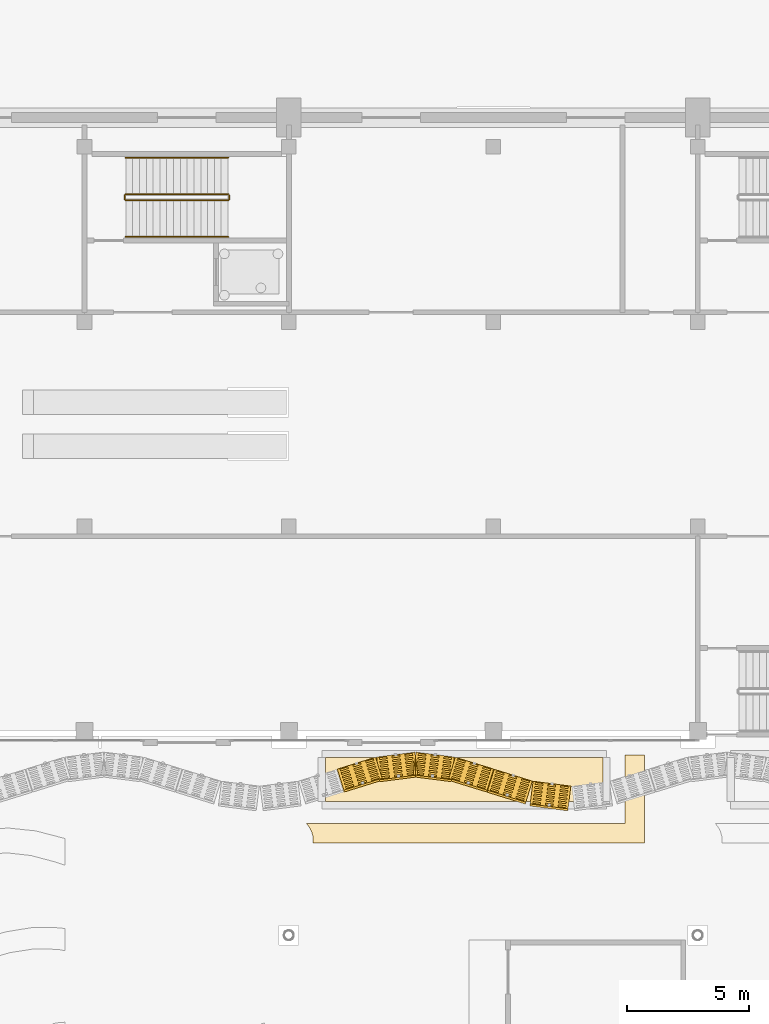
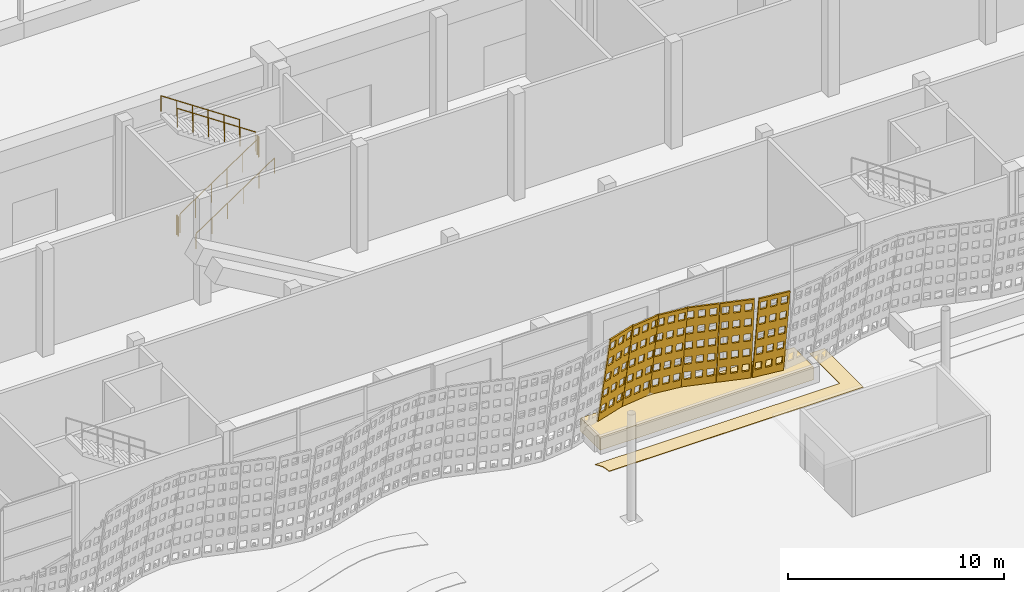
# One storey, part 172 of 210: 8 coverings, 6 railings.
"""IFC4 building model written with IfcOpenShell, lengths in metres."""

from ifc_helpers import new_model, si_unit, direction, frame, origin, origin_2d, place, context, subcontext, project, spatial, polyline, rectangle, circle, outline, extrude, material, layer, layer_set, type_object, element, save


model = new_model("IFC4")

# Units and contexts
model_context = context("Model", 3, precision=1e-05, world=origin(), true_north=direction((0.0, 1.0)))
body_context = subcontext(model_context, "Body", "Model", "MODEL_VIEW")
ifc_project = project(units=[si_unit("LENGTHUNIT", "METRE"), si_unit("AREAUNIT", "SQUARE_METRE"), si_unit("VOLUMEUNIT", "CUBIC_METRE"), si_unit("PLANEANGLEUNIT", "RADIAN"), si_unit("MASSUNIT", "GRAM", prefix="KILO")], contexts=[model_context])

# Site, building, storey
site_placement = place(None, origin())
site = spatial("IfcSite", under=ifc_project, at=site_placement, CompositionType="ELEMENT")
building_placement = place(site_placement, origin())
building = spatial("IfcBuilding", under=site, at=building_placement, Name="Rain Tree Exposition and Congress Centre", CompositionType="ELEMENT")
storey_placement = place(building_placement, origin())
storey = spatial("IfcBuildingStorey", under=building, at=storey_placement, Name="L00", CompositionType="ELEMENT", Elevation=0.0)

# Railings
ifc_material_1 = material(Name="Aluminium and glass balustrade", Category="aluminium")
railing_type_1 = type_object("IfcRailingType", Name="Concourse guard 1100", PredefinedType="GUARDRAIL", material=ifc_material_1)
railing_1_placement = place(storey_placement, frame((52.10009765625, 97.39990234375, 0.1875)))
element("IfcRailing", 1, at=railing_1_placement, inside=storey, type_object=railing_type_1, Name="L00 ST-C8 stair guard 1", PredefinedType="GUARDRAIL", context=body_context, shape_type="SweptSolid", body=[
    extrude(circle(Radius=0.02392578125, at=origin_2d()), frame((0.0, 0.0, 1.076171875), z_axis=(0.830904186295, 0.0, 0.556415522067), x_axis=(0.0, 1.0, 0.0)), (0.0, 0.0, 1.0), 5.0546875),
    extrude(circle(Radius=0.02099609375, at=origin_2d()), origin(), (0.0, 0.0, 1.0), 1.052001953125),
    extrude(circle(Radius=0.02099609375, at=origin_2d()), frame((0.840087890625, 0.0, 0.5625)), (0.0, 0.0, 1.0), 1.052001953125),
    extrude(circle(Radius=0.02099609375, at=origin_2d()), frame((1.679931640625, 0.0, 1.125)), (0.0, 0.0, 1.0), 1.052001953125),
    extrude(circle(Radius=0.02099609375, at=origin_2d()), frame((2.52001953125, 0.0, 1.6875)), (0.0, 0.0, 1.0), 1.052001953125),
    extrude(circle(Radius=0.02099609375, at=origin_2d()), frame((3.35986328125, 0.0, 2.25)), (0.0, 0.0, 1.0), 1.052001953125),
    extrude(circle(Radius=0.02099609375, at=origin_2d()), frame((4.199951171875, 0.0, 2.8125)), (0.0, 0.0, 1.0), 1.052001953125),
])
railing_2_placement = place(storey_placement, frame((56.35009765625, 97.449951171875, 3.0)))
element("IfcRailing", 2, at=railing_2_placement, inside=storey, type_object=railing_type_1, Name="L00 ST-C8 stair guard 2", PredefinedType="GUARDRAIL", context=body_context, shape_type="SweptSolid", body=[
    extrude(circle(Radius=0.02392578125, at=origin_2d()), frame((0.0, 0.0, 1.076171875), z_axis=(0.0, 1.0, 0.0), x_axis=(-1.0, 0.0, 0.0)), (0.0, 0.0, 1.0), 0.150146484375),
    extrude(circle(Radius=0.02099609375, at=origin_2d()), origin(), (0.0, 0.0, 1.0), 1.052001953125),
    extrude(circle(Radius=0.02099609375, at=origin_2d()), frame((0.0, 0.150146484375, 0.0)), (0.0, 0.0, 1.0), 1.052001953125),
])
railing_3_placement = place(storey_placement, frame((56.300048828125, 97.64990234375, 3.1875)))
element("IfcRailing", 3, at=railing_3_placement, inside=storey, type_object=railing_type_1, Name="L00 ST-C8 stair guard 3", PredefinedType="GUARDRAIL", context=body_context, shape_type="SweptSolid", body=[
    extrude(circle(Radius=0.02392578125, at=origin_2d()), frame((0.0, 0.0, 1.076171875), z_axis=(-0.830904186295, 0.0, 0.556415522067), x_axis=(0.0, -1.0, 0.0)), (0.0, 0.0, 1.0), 5.0546875),
    extrude(circle(Radius=0.02099609375, at=origin_2d()), origin(), (0.0, 0.0, 1.0), 1.052001953125),
    extrude(circle(Radius=0.02099609375, at=origin_2d()), frame((-0.840087890625, 0.0, 0.5625)), (0.0, 0.0, 1.0), 1.052001953125),
    extrude(circle(Radius=0.02099609375, at=origin_2d()), frame((-1.679931640625, 0.0, 1.125)), (0.0, 0.0, 1.0), 1.052001953125),
    extrude(circle(Radius=0.02099609375, at=origin_2d()), frame((-2.52001953125, 0.0, 1.6875)), (0.0, 0.0, 1.0), 1.052001953125),
    extrude(circle(Radius=0.02099609375, at=origin_2d()), frame((-3.35986328125, 0.0, 2.25)), (0.0, 0.0, 1.0), 1.052001953125),
    extrude(circle(Radius=0.02099609375, at=origin_2d()), frame((-4.199951171875, 0.0, 2.8125)), (0.0, 0.0, 1.0), 1.052001953125),
])
railing_4_placement = place(storey_placement, frame((52.050048828125, 97.449951171875, 0.0)))
element("IfcRailing", 4, at=railing_4_placement, inside=storey, type_object=railing_type_1, Name="L00 ST-C8 stair guard 4", PredefinedType="GUARDRAIL", context=body_context, shape_type="SweptSolid", body=[
    extrude(circle(Radius=0.02392578125, at=origin_2d()), frame((0.0, 0.0, 1.076171875), z_axis=(0.0, 1.0, 0.0), x_axis=(-1.0, 0.0, 0.0)), (0.0, 0.0, 1.0), 0.150146484375),
    extrude(circle(Radius=0.02099609375, at=origin_2d()), origin(), (0.0, 0.0, 1.0), 1.052001953125),
    extrude(circle(Radius=0.02099609375, at=origin_2d()), frame((0.0, 0.150146484375, 0.0)), (0.0, 0.0, 1.0), 1.052001953125),
])
ifc_material_2 = material(Name="Aluminium handrail", Category="aluminium")
railing_type_2 = type_object("IfcRailingType", Name="Concourse handrail 900", PredefinedType="HANDRAIL", material=ifc_material_2)
railing_5_placement = place(storey_placement, frame((52.10009765625, 95.89990234375, 0.1875)))
element("IfcRailing", 5, at=railing_5_placement, inside=storey, type_object=railing_type_2, Name="L00 ST-C8 stair handrail 1", PredefinedType="HANDRAIL", context=body_context, shape_type="SweptSolid", body=[
    extrude(circle(Radius=0.02392578125, at=origin_2d()), frame((0.0, 0.0, 0.8759765625), z_axis=(0.830904186295, 0.0, 0.556415522067), x_axis=(0.0, 1.0, 0.0)), (0.0, 0.0, 1.0), 5.0546875),
    extrude(circle(Radius=0.02099609375, at=origin_2d()), origin(), (0.0, 0.0, 1.0), 0.851806640625),
    extrude(circle(Radius=0.02099609375, at=origin_2d()), frame((0.840087890625, 0.0, 0.5625)), (0.0, 0.0, 1.0), 0.851806640625),
    extrude(circle(Radius=0.02099609375, at=origin_2d()), frame((1.679931640625, 0.0, 1.125)), (0.0, 0.0, 1.0), 0.851806640625),
    extrude(circle(Radius=0.02099609375, at=origin_2d()), frame((2.52001953125, 0.0, 1.6875)), (0.0, 0.0, 1.0), 0.851806640625),
    extrude(circle(Radius=0.02099609375, at=origin_2d()), frame((3.35986328125, 0.0, 2.25)), (0.0, 0.0, 1.0), 0.851806640625),
    extrude(circle(Radius=0.02099609375, at=origin_2d()), frame((4.199951171875, 0.0, 2.8125)), (0.0, 0.0, 1.0), 0.851806640625),
])
railing_6_placement = place(storey_placement, frame((56.300048828125, 99.14990234375, 3.1875)))
element("IfcRailing", 6, at=railing_6_placement, inside=storey, type_object=railing_type_2, Name="L00 ST-C8 stair handrail 2", PredefinedType="HANDRAIL", context=body_context, shape_type="SweptSolid", body=[
    extrude(circle(Radius=0.02392578125, at=origin_2d()), frame((0.0, 0.0, 0.8759765625), z_axis=(-0.830904186295, 0.0, 0.556415522067), x_axis=(0.0, -1.0, 0.0)), (0.0, 0.0, 1.0), 5.0546875),
    extrude(circle(Radius=0.02099609375, at=origin_2d()), origin(), (0.0, 0.0, 1.0), 0.851806640625),
    extrude(circle(Radius=0.02099609375, at=origin_2d()), frame((-0.840087890625, 0.0, 0.5625)), (0.0, 0.0, 1.0), 0.851806640625),
    extrude(circle(Radius=0.02099609375, at=origin_2d()), frame((-1.679931640625, 0.0, 1.125)), (0.0, 0.0, 1.0), 0.851806640625),
    extrude(circle(Radius=0.02099609375, at=origin_2d()), frame((-2.52001953125, 0.0, 1.6875)), (0.0, 0.0, 1.0), 0.851806640625),
    extrude(circle(Radius=0.02099609375, at=origin_2d()), frame((-3.35986328125, 0.0, 2.25)), (0.0, 0.0, 1.0), 0.851806640625),
    extrude(circle(Radius=0.02099609375, at=origin_2d()), frame((-4.199951171875, 0.0, 2.8125)), (0.0, 0.0, 1.0), 0.851806640625),
])

# Coverings
ifc_material_3 = material(Name="Granite paving", Category="masonry")
ifc_layer_1 = layer(ifc_material_3, 0.030029296875)
ifc_layer_set_1 = layer_set([ifc_layer_1], Name="Granite paving")
covering_type_1 = type_object("IfcCoveringType", Name="Granite paving inlay 30", PredefinedType="FLOORING", material=ifc_layer_set_1)
covering_1_placement = place(storey_placement, origin())
element("IfcCovering", 7, at=covering_1_placement, inside=storey, type_object=covering_type_1, Name="Granite paving inlay 24", PredefinedType="FLOORING", context=body_context, shape_type="SweptSolid", body=[
    extrude(outline(polyline([(72.60009765625, 71.800048828125), (59.513427734375, 71.800048828125), (59.64208984375, 71.638916015625), (59.73095703125, 71.46435546875), (59.7841796875, 71.275634765625), (59.800048828125, 71.0), (73.39990234375, 71.0), (73.39990234375, 74.60009765625), (72.60009765625, 74.60009765625), (72.60009765625, 71.800048828125)])), origin(), (0.0, 0.0, 1.0), 0.030029296875),
])
ifc_material_4 = material(Name="Planting substrate", Category="soil")
ifc_layer_2 = layer(ifc_material_4, 0.75)
ifc_layer_set_2 = layer_set([ifc_layer_2], Name="Planting substrate")
covering_type_2 = type_object("IfcCoveringType", Name="Planting bed substrate 750", PredefinedType="FLOORING", material=ifc_layer_set_2)
covering_2_placement = place(storey_placement, frame((66.0, 73.60009765625, 0.0), z_axis=(0.0, 0.0, 1.0), x_axis=(1.0, 0.0, 0.0)))
element("IfcCovering", 8, at=covering_2_placement, inside=storey, type_object=covering_type_2, Name="Planting bed", PredefinedType="FLOORING", context=body_context, shape_type="SweptSolid", body=[
    extrude(rectangle(XDim=11.39990234375, YDim=1.800048828125, at=origin_2d()), origin(), (0.0, 0.0, 1.0), 0.75),
])
ifc_material_5 = material(Name="Perforated terracotta", Category="masonry")
ifc_layer_3 = layer(ifc_material_5, 0.080078125)
ifc_layer_set_3 = layer_set([ifc_layer_3], Name="Perforated terracotta")
covering_type_3 = type_object("IfcCoveringType", Name="Terracotta screen 80", PredefinedType="CLADDING", material=ifc_layer_set_3)
covering_3_placement = place(storey_placement, frame((60.800048828125, 73.949951171875, 0.0), z_axis=(-0.293072736571, 0.943327870838, 0.155694891303), x_axis=(-0.954973588716, -0.296690823679, 0.0)))
element("IfcCovering", 9, at=covering_3_placement, inside=storey, type_object=covering_type_3, Name="concourse/screen/L00/039", PredefinedType="CLADDING", context=body_context, shape_type="SweptSolid", body=[
    extrude(outline(polyline([(-0.014892578125, 0.0), (-1.659912109375, 0.0), (-1.659912109375, 5.80859375), (-0.014892578125, 5.80859375), (-0.014892578125, 0.0)]), holes=[polyline([(-0.119140625, 0.249755859375), (-0.119140625, 0.71826171875), (-0.458984375, 0.71826171875), (-0.458984375, 0.249755859375), (-0.119140625, 0.249755859375)]), polyline([(-0.119140625, 1.218017578125), (-0.119140625, 1.686279296875), (-0.458984375, 1.686279296875), (-0.458984375, 1.218017578125), (-0.119140625, 1.218017578125)]), polyline([(-0.119140625, 2.18603515625), (-0.119140625, 2.654541015625), (-0.458984375, 2.654541015625), (-0.458984375, 2.18603515625), (-0.119140625, 2.18603515625)]), polyline([(-0.119140625, 3.154052734375), (-0.119140625, 3.62255859375), (-0.458984375, 3.62255859375), (-0.458984375, 3.154052734375), (-0.119140625, 3.154052734375)]), polyline([(-0.119140625, 4.122314453125), (-0.119140625, 4.5908203125), (-0.458984375, 4.5908203125), (-0.458984375, 4.122314453125), (-0.119140625, 4.122314453125)]), polyline([(-0.119140625, 5.09033203125), (-0.119140625, 5.558837890625), (-0.458984375, 5.558837890625), (-0.458984375, 5.09033203125), (-0.119140625, 5.09033203125)]), polyline([(-0.66748046875, 0.249755859375), (-0.66748046875, 0.71826171875), (-1.00732421875, 0.71826171875), (-1.00732421875, 0.249755859375), (-0.66748046875, 0.249755859375)]), polyline([(-0.66748046875, 1.218017578125), (-0.66748046875, 1.686279296875), (-1.00732421875, 1.686279296875), (-1.00732421875, 1.218017578125), (-0.66748046875, 1.218017578125)]), polyline([(-0.66748046875, 2.18603515625), (-0.66748046875, 2.654541015625), (-1.00732421875, 2.654541015625), (-1.00732421875, 2.18603515625), (-0.66748046875, 2.18603515625)]), polyline([(-0.66748046875, 3.154052734375), (-0.66748046875, 3.62255859375), (-1.00732421875, 3.62255859375), (-1.00732421875, 3.154052734375), (-0.66748046875, 3.154052734375)]), polyline([(-0.66748046875, 4.122314453125), (-0.66748046875, 4.5908203125), (-1.00732421875, 4.5908203125), (-1.00732421875, 4.122314453125), (-0.66748046875, 4.122314453125)]), polyline([(-0.66748046875, 5.09033203125), (-0.66748046875, 5.558837890625), (-1.00732421875, 5.558837890625), (-1.00732421875, 5.09033203125), (-0.66748046875, 5.09033203125)]), polyline([(-1.2158203125, 0.249755859375), (-1.2158203125, 0.71826171875), (-1.5556640625, 0.71826171875), (-1.5556640625, 0.249755859375), (-1.2158203125, 0.249755859375)]), polyline([(-1.2158203125, 1.218017578125), (-1.2158203125, 1.686279296875), (-1.5556640625, 1.686279296875), (-1.5556640625, 1.218017578125), (-1.2158203125, 1.218017578125)]), polyline([(-1.2158203125, 2.18603515625), (-1.2158203125, 2.654541015625), (-1.5556640625, 2.654541015625), (-1.5556640625, 2.18603515625), (-1.2158203125, 2.18603515625)]), polyline([(-1.2158203125, 3.154052734375), (-1.2158203125, 3.62255859375), (-1.5556640625, 3.62255859375), (-1.5556640625, 3.154052734375), (-1.2158203125, 3.154052734375)]), polyline([(-1.2158203125, 4.122314453125), (-1.2158203125, 4.5908203125), (-1.5556640625, 4.5908203125), (-1.5556640625, 4.122314453125), (-1.2158203125, 4.122314453125)]), polyline([(-1.2158203125, 5.09033203125), (-1.2158203125, 5.558837890625), (-1.5556640625, 5.558837890625), (-1.5556640625, 5.09033203125), (-1.2158203125, 5.09033203125)])]), origin(), (0.0, 0.0, 1.0), 0.080078125),
])
covering_4_placement = place(storey_placement, frame((62.39990234375, 74.445068359375, 0.0), z_axis=(-0.125405134464, 0.978771781185, 0.162109076259), x_axis=(-0.991891686382, -0.127086122318, 0.0)))
element("IfcCovering", 10, at=covering_4_placement, inside=storey, type_object=covering_type_3, Name="concourse/screen/L00/040", PredefinedType="CLADDING", context=body_context, shape_type="SweptSolid", body=[
    extrude(outline(polyline([(-0.014892578125, 0.0), (-1.59814453125, 0.0), (-1.59814453125, 5.813720703125), (-0.014892578125, 5.813720703125), (-0.014892578125, 0.0)]), holes=[polyline([(-0.115234375, 0.25), (-0.115234375, 0.718994140625), (-0.4423828125, 0.718994140625), (-0.4423828125, 0.25), (-0.115234375, 0.25)]), polyline([(-0.115234375, 1.218994140625), (-0.115234375, 1.687744140625), (-0.4423828125, 1.687744140625), (-0.4423828125, 1.218994140625), (-0.115234375, 1.218994140625)]), polyline([(-0.115234375, 2.18798828125), (-0.115234375, 2.65673828125), (-0.4423828125, 2.65673828125), (-0.4423828125, 2.18798828125), (-0.115234375, 2.18798828125)]), polyline([(-0.115234375, 3.156982421875), (-0.115234375, 3.625732421875), (-0.4423828125, 3.625732421875), (-0.4423828125, 3.156982421875), (-0.115234375, 3.156982421875)]), polyline([(-0.115234375, 4.125732421875), (-0.115234375, 4.594482421875), (-0.4423828125, 4.594482421875), (-0.4423828125, 4.125732421875), (-0.115234375, 4.125732421875)]), polyline([(-0.115234375, 5.0947265625), (-0.115234375, 5.563720703125), (-0.4423828125, 5.563720703125), (-0.4423828125, 5.0947265625), (-0.115234375, 5.0947265625)]), polyline([(-0.64306640625, 0.25), (-0.64306640625, 0.718994140625), (-0.97021484375, 0.718994140625), (-0.97021484375, 0.25), (-0.64306640625, 0.25)]), polyline([(-0.64306640625, 1.218994140625), (-0.64306640625, 1.687744140625), (-0.97021484375, 1.687744140625), (-0.97021484375, 1.218994140625), (-0.64306640625, 1.218994140625)]), polyline([(-0.64306640625, 2.18798828125), (-0.64306640625, 2.65673828125), (-0.97021484375, 2.65673828125), (-0.97021484375, 2.18798828125), (-0.64306640625, 2.18798828125)]), polyline([(-0.64306640625, 3.156982421875), (-0.64306640625, 3.625732421875), (-0.97021484375, 3.625732421875), (-0.97021484375, 3.156982421875), (-0.64306640625, 3.156982421875)]), polyline([(-0.64306640625, 4.125732421875), (-0.64306640625, 4.594482421875), (-0.97021484375, 4.594482421875), (-0.97021484375, 4.125732421875), (-0.64306640625, 4.125732421875)]), polyline([(-0.64306640625, 5.0947265625), (-0.64306640625, 5.563720703125), (-0.97021484375, 5.563720703125), (-0.97021484375, 5.0947265625), (-0.64306640625, 5.0947265625)]), polyline([(-1.170654296875, 0.25), (-1.170654296875, 0.718994140625), (-1.497802734375, 0.718994140625), (-1.497802734375, 0.25), (-1.170654296875, 0.25)]), polyline([(-1.170654296875, 1.218994140625), (-1.170654296875, 1.687744140625), (-1.497802734375, 1.687744140625), (-1.497802734375, 1.218994140625), (-1.170654296875, 1.218994140625)]), polyline([(-1.170654296875, 2.18798828125), (-1.170654296875, 2.65673828125), (-1.497802734375, 2.65673828125), (-1.497802734375, 2.18798828125), (-1.170654296875, 2.18798828125)]), polyline([(-1.170654296875, 3.156982421875), (-1.170654296875, 3.625732421875), (-1.497802734375, 3.625732421875), (-1.497802734375, 3.156982421875), (-1.170654296875, 3.156982421875)]), polyline([(-1.170654296875, 4.125732421875), (-1.170654296875, 4.594482421875), (-1.497802734375, 4.594482421875), (-1.497802734375, 4.125732421875), (-1.170654296875, 4.125732421875)]), polyline([(-1.170654296875, 5.0947265625), (-1.170654296875, 5.563720703125), (-1.497802734375, 5.563720703125), (-1.497802734375, 5.0947265625), (-1.170654296875, 5.0947265625)])]), origin(), (0.0, 0.0, 1.0), 0.079833984375),
])
covering_5_placement = place(storey_placement, frame((64.0, 74.64990234375, 0.0), z_axis=(0.125030801275, 0.978899688033, 0.161625182136), x_axis=(-0.991941518713, 0.126696580272, 0.0)))
element("IfcCovering", 11, at=covering_5_placement, inside=storey, type_object=covering_type_3, Name="concourse/screen/L00/041", PredefinedType="CLADDING", context=body_context, shape_type="SweptSolid", body=[
    extrude(outline(polyline([(-0.014892578125, 0.0), (-1.59814453125, 0.0), (-1.59814453125, 5.813720703125), (-0.014892578125, 5.813720703125), (-0.014892578125, 0.0)]), holes=[polyline([(-0.115234375, 0.25), (-0.115234375, 0.718994140625), (-0.4423828125, 0.718994140625), (-0.4423828125, 0.25), (-0.115234375, 0.25)]), polyline([(-0.115234375, 1.218994140625), (-0.115234375, 1.687744140625), (-0.4423828125, 1.687744140625), (-0.4423828125, 1.218994140625), (-0.115234375, 1.218994140625)]), polyline([(-0.115234375, 2.18798828125), (-0.115234375, 2.65673828125), (-0.4423828125, 2.65673828125), (-0.4423828125, 2.18798828125), (-0.115234375, 2.18798828125)]), polyline([(-0.115234375, 3.156982421875), (-0.115234375, 3.625732421875), (-0.4423828125, 3.625732421875), (-0.4423828125, 3.156982421875), (-0.115234375, 3.156982421875)]), polyline([(-0.115234375, 4.125732421875), (-0.115234375, 4.594482421875), (-0.4423828125, 4.594482421875), (-0.4423828125, 4.125732421875), (-0.115234375, 4.125732421875)]), polyline([(-0.115234375, 5.0947265625), (-0.115234375, 5.563720703125), (-0.4423828125, 5.563720703125), (-0.4423828125, 5.0947265625), (-0.115234375, 5.0947265625)]), polyline([(-0.64306640625, 0.25), (-0.64306640625, 0.718994140625), (-0.97021484375, 0.718994140625), (-0.97021484375, 0.25), (-0.64306640625, 0.25)]), polyline([(-0.64306640625, 1.218994140625), (-0.64306640625, 1.687744140625), (-0.97021484375, 1.687744140625), (-0.97021484375, 1.218994140625), (-0.64306640625, 1.218994140625)]), polyline([(-0.64306640625, 2.18798828125), (-0.64306640625, 2.65673828125), (-0.97021484375, 2.65673828125), (-0.97021484375, 2.18798828125), (-0.64306640625, 2.18798828125)]), polyline([(-0.64306640625, 3.156982421875), (-0.64306640625, 3.625732421875), (-0.97021484375, 3.625732421875), (-0.97021484375, 3.156982421875), (-0.64306640625, 3.156982421875)]), polyline([(-0.64306640625, 4.125732421875), (-0.64306640625, 4.594482421875), (-0.97021484375, 4.594482421875), (-0.97021484375, 4.125732421875), (-0.64306640625, 4.125732421875)]), polyline([(-0.64306640625, 5.0947265625), (-0.64306640625, 5.563720703125), (-0.97021484375, 5.563720703125), (-0.97021484375, 5.0947265625), (-0.64306640625, 5.0947265625)]), polyline([(-1.170654296875, 0.25), (-1.170654296875, 0.718994140625), (-1.497802734375, 0.718994140625), (-1.497802734375, 0.25), (-1.170654296875, 0.25)]), polyline([(-1.170654296875, 1.218994140625), (-1.170654296875, 1.687744140625), (-1.497802734375, 1.687744140625), (-1.497802734375, 1.218994140625), (-1.170654296875, 1.218994140625)]), polyline([(-1.170654296875, 2.18798828125), (-1.170654296875, 2.65673828125), (-1.497802734375, 2.65673828125), (-1.497802734375, 2.18798828125), (-1.170654296875, 2.18798828125)]), polyline([(-1.170654296875, 3.156982421875), (-1.170654296875, 3.625732421875), (-1.497802734375, 3.625732421875), (-1.497802734375, 3.156982421875), (-1.170654296875, 3.156982421875)]), polyline([(-1.170654296875, 4.125732421875), (-1.170654296875, 4.594482421875), (-1.497802734375, 4.594482421875), (-1.497802734375, 4.125732421875), (-1.170654296875, 4.125732421875)]), polyline([(-1.170654296875, 5.0947265625), (-1.170654296875, 5.563720703125), (-1.497802734375, 5.563720703125), (-1.497802734375, 5.0947265625), (-1.170654296875, 5.0947265625)])]), origin(), (0.0, 0.0, 1.0), 0.080078125),
])
covering_6_placement = place(storey_placement, frame((65.60009765625, 74.445068359375, 0.0), z_axis=(0.290278371326, 0.94416859726, 0.155833651975), x_axis=(-0.955845867297, 0.293868470528, 0.0)))
element("IfcCovering", 12, at=covering_6_placement, inside=storey, type_object=covering_type_3, Name="concourse/screen/L00/042", PredefinedType="CLADDING", context=body_context, shape_type="SweptSolid", body=[
    extrude(outline(polyline([(-0.014892578125, 0.0), (-1.659912109375, 0.0), (-1.659912109375, 5.80859375), (-0.014892578125, 5.80859375), (-0.014892578125, 0.0)]), holes=[polyline([(-0.119140625, 0.249755859375), (-0.119140625, 0.71826171875), (-0.458984375, 0.71826171875), (-0.458984375, 0.249755859375), (-0.119140625, 0.249755859375)]), polyline([(-0.119140625, 1.218017578125), (-0.119140625, 1.686279296875), (-0.458984375, 1.686279296875), (-0.458984375, 1.218017578125), (-0.119140625, 1.218017578125)]), polyline([(-0.119140625, 2.18603515625), (-0.119140625, 2.654541015625), (-0.458984375, 2.654541015625), (-0.458984375, 2.18603515625), (-0.119140625, 2.18603515625)]), polyline([(-0.119140625, 3.154052734375), (-0.119140625, 3.62255859375), (-0.458984375, 3.62255859375), (-0.458984375, 3.154052734375), (-0.119140625, 3.154052734375)]), polyline([(-0.119140625, 4.122314453125), (-0.119140625, 4.5908203125), (-0.458984375, 4.5908203125), (-0.458984375, 4.122314453125), (-0.119140625, 4.122314453125)]), polyline([(-0.119140625, 5.09033203125), (-0.119140625, 5.558837890625), (-0.458984375, 5.558837890625), (-0.458984375, 5.09033203125), (-0.119140625, 5.09033203125)]), polyline([(-0.66748046875, 0.249755859375), (-0.66748046875, 0.71826171875), (-1.00732421875, 0.71826171875), (-1.00732421875, 0.249755859375), (-0.66748046875, 0.249755859375)]), polyline([(-0.66748046875, 1.218017578125), (-0.66748046875, 1.686279296875), (-1.00732421875, 1.686279296875), (-1.00732421875, 1.218017578125), (-0.66748046875, 1.218017578125)]), polyline([(-0.66748046875, 2.18603515625), (-0.66748046875, 2.654541015625), (-1.00732421875, 2.654541015625), (-1.00732421875, 2.18603515625), (-0.66748046875, 2.18603515625)]), polyline([(-0.66748046875, 3.154052734375), (-0.66748046875, 3.62255859375), (-1.00732421875, 3.62255859375), (-1.00732421875, 3.154052734375), (-0.66748046875, 3.154052734375)]), polyline([(-0.66748046875, 4.122314453125), (-0.66748046875, 4.5908203125), (-1.00732421875, 4.5908203125), (-1.00732421875, 4.122314453125), (-0.66748046875, 4.122314453125)]), polyline([(-0.66748046875, 5.09033203125), (-0.66748046875, 5.558837890625), (-1.00732421875, 5.558837890625), (-1.00732421875, 5.09033203125), (-0.66748046875, 5.09033203125)]), polyline([(-1.2158203125, 0.249755859375), (-1.2158203125, 0.71826171875), (-1.5556640625, 0.71826171875), (-1.5556640625, 0.249755859375), (-1.2158203125, 0.249755859375)]), polyline([(-1.2158203125, 1.218017578125), (-1.2158203125, 1.686279296875), (-1.5556640625, 1.686279296875), (-1.5556640625, 1.218017578125), (-1.2158203125, 1.218017578125)]), polyline([(-1.2158203125, 2.18603515625), (-1.2158203125, 2.654541015625), (-1.5556640625, 2.654541015625), (-1.5556640625, 2.18603515625), (-1.2158203125, 2.18603515625)]), polyline([(-1.2158203125, 3.154052734375), (-1.2158203125, 3.62255859375), (-1.5556640625, 3.62255859375), (-1.5556640625, 3.154052734375), (-1.2158203125, 3.154052734375)]), polyline([(-1.2158203125, 4.122314453125), (-1.2158203125, 4.5908203125), (-1.5556640625, 4.5908203125), (-1.5556640625, 4.122314453125), (-1.2158203125, 4.122314453125)]), polyline([(-1.2158203125, 5.09033203125), (-1.2158203125, 5.558837890625), (-1.5556640625, 5.558837890625), (-1.5556640625, 5.09033203125), (-1.2158203125, 5.09033203125)])]), origin(), (0.0, 0.0, 1.0), 0.079833984375),
])
covering_7_placement = place(storey_placement, frame((67.199951171875, 73.949951171875, 0.0), z_axis=(0.293072736571, 0.943327870838, 0.155694891303), x_axis=(-0.954973588716, 0.296690823679, 0.0)))
element("IfcCovering", 13, at=covering_7_placement, inside=storey, type_object=covering_type_3, Name="concourse/screen/L00/043", PredefinedType="CLADDING", context=body_context, shape_type="SweptSolid", body=[
    extrude(outline(polyline([(-0.014892578125, 0.0), (-1.65283203125, 0.0), (-1.65283203125, 5.80859375), (-0.014892578125, 5.80859375), (-0.014892578125, 0.0)]), holes=[polyline([(-0.11865234375, 0.249755859375), (-0.11865234375, 0.71826171875), (-0.457275390625, 0.71826171875), (-0.457275390625, 0.249755859375), (-0.11865234375, 0.249755859375)]), polyline([(-0.11865234375, 1.218017578125), (-0.11865234375, 1.686279296875), (-0.457275390625, 1.686279296875), (-0.457275390625, 1.218017578125), (-0.11865234375, 1.218017578125)]), polyline([(-0.11865234375, 2.18603515625), (-0.11865234375, 2.654541015625), (-0.457275390625, 2.654541015625), (-0.457275390625, 2.18603515625), (-0.11865234375, 2.18603515625)]), polyline([(-0.11865234375, 3.154052734375), (-0.11865234375, 3.62255859375), (-0.457275390625, 3.62255859375), (-0.457275390625, 3.154052734375), (-0.11865234375, 3.154052734375)]), polyline([(-0.11865234375, 4.122314453125), (-0.11865234375, 4.5908203125), (-0.457275390625, 4.5908203125), (-0.457275390625, 4.122314453125), (-0.11865234375, 4.122314453125)]), polyline([(-0.11865234375, 5.09033203125), (-0.11865234375, 5.558837890625), (-0.457275390625, 5.558837890625), (-0.457275390625, 5.09033203125), (-0.11865234375, 5.09033203125)]), polyline([(-0.664794921875, 0.249755859375), (-0.664794921875, 0.71826171875), (-1.003173828125, 0.71826171875), (-1.003173828125, 0.249755859375), (-0.664794921875, 0.249755859375)]), polyline([(-0.664794921875, 1.218017578125), (-0.664794921875, 1.686279296875), (-1.003173828125, 1.686279296875), (-1.003173828125, 1.218017578125), (-0.664794921875, 1.218017578125)]), polyline([(-0.664794921875, 2.18603515625), (-0.664794921875, 2.654541015625), (-1.003173828125, 2.654541015625), (-1.003173828125, 2.18603515625), (-0.664794921875, 2.18603515625)]), polyline([(-0.664794921875, 3.154052734375), (-0.664794921875, 3.62255859375), (-1.003173828125, 3.62255859375), (-1.003173828125, 3.154052734375), (-0.664794921875, 3.154052734375)]), polyline([(-0.664794921875, 4.122314453125), (-0.664794921875, 4.5908203125), (-1.003173828125, 4.5908203125), (-1.003173828125, 4.122314453125), (-0.664794921875, 4.122314453125)]), polyline([(-0.664794921875, 5.09033203125), (-0.664794921875, 5.558837890625), (-1.003173828125, 5.558837890625), (-1.003173828125, 5.09033203125), (-0.664794921875, 5.09033203125)]), polyline([(-1.210693359375, 0.249755859375), (-1.210693359375, 0.71826171875), (-1.54931640625, 0.71826171875), (-1.54931640625, 0.249755859375), (-1.210693359375, 0.249755859375)]), polyline([(-1.210693359375, 1.218017578125), (-1.210693359375, 1.686279296875), (-1.54931640625, 1.686279296875), (-1.54931640625, 1.218017578125), (-1.210693359375, 1.218017578125)]), polyline([(-1.210693359375, 2.18603515625), (-1.210693359375, 2.654541015625), (-1.54931640625, 2.654541015625), (-1.54931640625, 2.18603515625), (-1.210693359375, 2.18603515625)]), polyline([(-1.210693359375, 3.154052734375), (-1.210693359375, 3.62255859375), (-1.54931640625, 3.62255859375), (-1.54931640625, 3.154052734375), (-1.210693359375, 3.154052734375)]), polyline([(-1.210693359375, 4.122314453125), (-1.210693359375, 4.5908203125), (-1.54931640625, 4.5908203125), (-1.54931640625, 4.122314453125), (-1.210693359375, 4.122314453125)]), polyline([(-1.210693359375, 5.09033203125), (-1.210693359375, 5.558837890625), (-1.54931640625, 5.558837890625), (-1.54931640625, 5.09033203125), (-1.210693359375, 5.09033203125)])]), origin(), (0.0, 0.0, 1.0), 0.080078125),
])
covering_8_placement = place(storey_placement, frame((68.800048828125, 73.455078125, 0.0), z_axis=(0.125405134464, 0.978771781185, 0.162109076259), x_axis=(-0.991891686382, 0.127086122318, 0.0)))
element("IfcCovering", 14, at=covering_8_placement, inside=storey, type_object=covering_type_3, Name="concourse/screen/L00/044", PredefinedType="CLADDING", context=body_context, shape_type="SweptSolid", body=[
    extrude(outline(polyline([(-0.02197265625, 0.0), (-1.587890625, 0.0), (-1.587890625, 5.813720703125), (-0.02197265625, 5.813720703125), (-0.02197265625, 0.0)]), holes=[polyline([(-0.12109375, 0.25), (-0.12109375, 0.718994140625), (-0.444580078125, 0.718994140625), (-0.444580078125, 0.25), (-0.12109375, 0.25)]), polyline([(-0.12109375, 1.218994140625), (-0.12109375, 1.687744140625), (-0.444580078125, 1.687744140625), (-0.444580078125, 1.218994140625), (-0.12109375, 1.218994140625)]), polyline([(-0.12109375, 2.18798828125), (-0.12109375, 2.65673828125), (-0.444580078125, 2.65673828125), (-0.444580078125, 2.18798828125), (-0.12109375, 2.18798828125)]), polyline([(-0.12109375, 3.156982421875), (-0.12109375, 3.625732421875), (-0.444580078125, 3.625732421875), (-0.444580078125, 3.156982421875), (-0.12109375, 3.156982421875)]), polyline([(-0.12109375, 4.125732421875), (-0.12109375, 4.594482421875), (-0.444580078125, 4.594482421875), (-0.444580078125, 4.125732421875), (-0.12109375, 4.125732421875)]), polyline([(-0.12109375, 5.0947265625), (-0.12109375, 5.563720703125), (-0.444580078125, 5.563720703125), (-0.444580078125, 5.0947265625), (-0.12109375, 5.0947265625)]), polyline([(-0.64306640625, 0.25), (-0.64306640625, 0.718994140625), (-0.966796875, 0.718994140625), (-0.966796875, 0.25), (-0.64306640625, 0.25)]), polyline([(-0.64306640625, 1.218994140625), (-0.64306640625, 1.687744140625), (-0.966796875, 1.687744140625), (-0.966796875, 1.218994140625), (-0.64306640625, 1.218994140625)]), polyline([(-0.64306640625, 2.18798828125), (-0.64306640625, 2.65673828125), (-0.966796875, 2.65673828125), (-0.966796875, 2.18798828125), (-0.64306640625, 2.18798828125)]), polyline([(-0.64306640625, 3.156982421875), (-0.64306640625, 3.625732421875), (-0.966796875, 3.625732421875), (-0.966796875, 3.156982421875), (-0.64306640625, 3.156982421875)]), polyline([(-0.64306640625, 4.125732421875), (-0.64306640625, 4.594482421875), (-0.966796875, 4.594482421875), (-0.966796875, 4.125732421875), (-0.64306640625, 4.125732421875)]), polyline([(-0.64306640625, 5.0947265625), (-0.64306640625, 5.563720703125), (-0.966796875, 5.563720703125), (-0.966796875, 5.0947265625), (-0.64306640625, 5.0947265625)]), polyline([(-1.1650390625, 0.25), (-1.1650390625, 0.718994140625), (-1.48876953125, 0.718994140625), (-1.48876953125, 0.25), (-1.1650390625, 0.25)]), polyline([(-1.1650390625, 1.218994140625), (-1.1650390625, 1.687744140625), (-1.48876953125, 1.687744140625), (-1.48876953125, 1.218994140625), (-1.1650390625, 1.218994140625)]), polyline([(-1.1650390625, 2.18798828125), (-1.1650390625, 2.65673828125), (-1.48876953125, 2.65673828125), (-1.48876953125, 2.18798828125), (-1.1650390625, 2.18798828125)]), polyline([(-1.1650390625, 3.156982421875), (-1.1650390625, 3.625732421875), (-1.48876953125, 3.625732421875), (-1.48876953125, 3.156982421875), (-1.1650390625, 3.156982421875)]), polyline([(-1.1650390625, 4.125732421875), (-1.1650390625, 4.594482421875), (-1.48876953125, 4.594482421875), (-1.48876953125, 4.125732421875), (-1.1650390625, 4.125732421875)]), polyline([(-1.1650390625, 5.0947265625), (-1.1650390625, 5.563720703125), (-1.48876953125, 5.563720703125), (-1.48876953125, 5.0947265625), (-1.1650390625, 5.0947265625)])]), origin(), (0.0, 0.0, 1.0), 0.079833984375),
])

save(model, "model.ifc")
